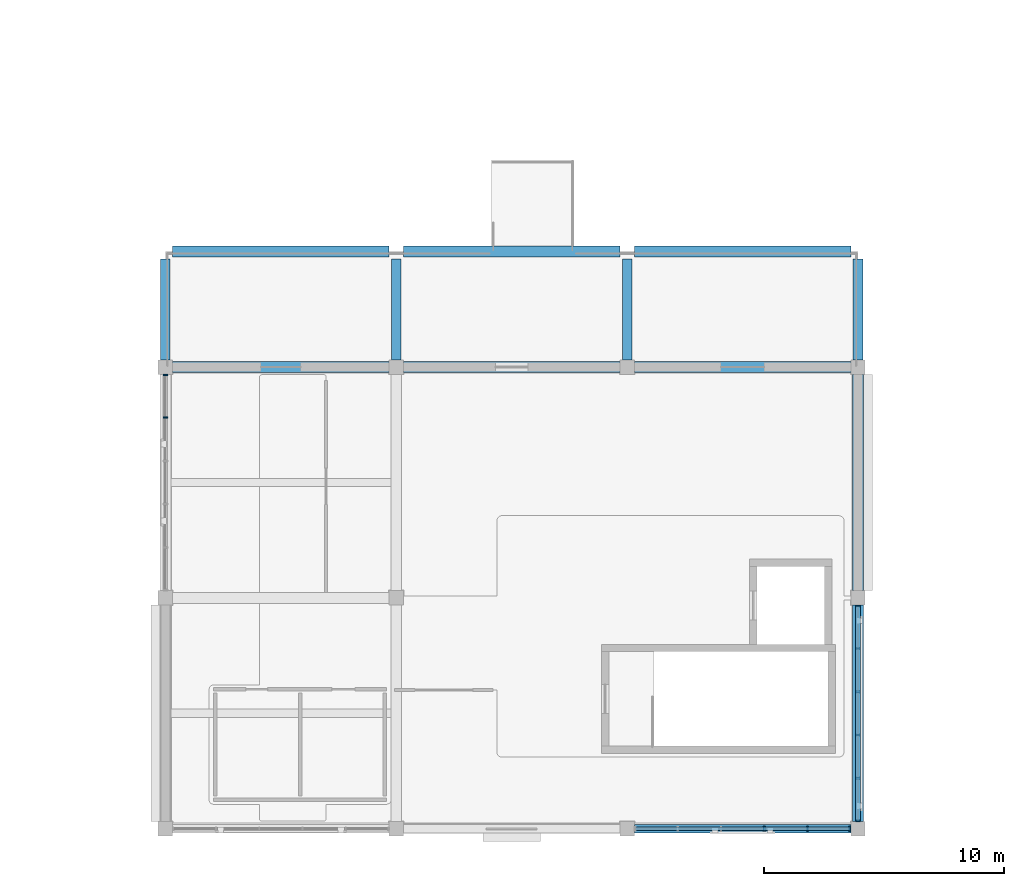
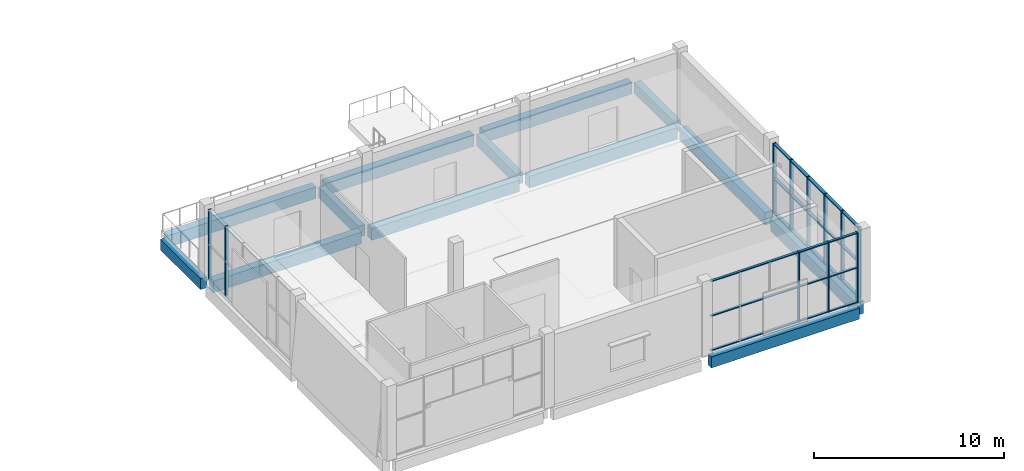
# One storey, part 3 of 37: 17 members, 13 beams, 3 elements without a shape of their own.
"""IFC4 building model written with IfcOpenShell, lengths in metres."""

import ifcopenshell
import ifcopenshell.guid

model = None  # the IFC model being written
_history = None  # IfcOwnerHistory: only IFC2X3 demands one
_inside = {}  # id of a spatial element -> (the spatial element, [elements in it])
_under = {}  # id of a project, library or spatial element -> (it, [spatial elements below it])
_declared = {}  # id of a project -> (the project, [libraries it declares])
_typed = {}  # id of a type object -> (the type object, [elements of that type])
_made_of = {}  # id of a material, layer set ... -> (it, [elements and type objects made of it])


def new_model(schema):
    """Start an empty IFC model of exactly this schema.

    Asked for "IFC4X3", IfcOpenShell would pick the latest addendum, in which some entities
    have other attributes; the version numbers below select the first issue.
    IFC2X3 requires an IfcOwnerHistory on every rooted entity: one is made here for all.
    """
    global model, _history
    if schema == "IFC4X3":
        model = ifcopenshell.file(schema_version=(4, 3, 0, 0))
    else:
        model = ifcopenshell.file(schema=schema)
    _inside.clear()
    _under.clear()
    _declared.clear()
    _typed.clear()
    _made_of.clear()
    _history = None
    if model.schema == "IFC2X3":
        org = make("IfcOrganization", Name="unknown")
        user = make(
            "IfcPersonAndOrganization",
            ThePerson=make("IfcPerson", FamilyName="unknown"),
            TheOrganization=org,
        )
        app = make(
            "IfcApplication",
            ApplicationDeveloper=org,
            Version="unknown",
            ApplicationFullName="unknown",
            ApplicationIdentifier="unknown",
        )
        _history = make(
            "IfcOwnerHistory",
            OwningUser=user,
            OwningApplication=app,
            ChangeAction="ADDED",
            CreationDate=0,
        )
    return model


def make(cls, **values):
    """One entity of the class cls with the attributes given. An attribute that is None is left unset."""
    return model.create_entity(
        cls, **{name: value for name, value in values.items() if value is not None}
    )


def rooted(cls, **values):
    """An entity with a GlobalId (a new one), such as an element, a storey or a relation."""
    return make(cls, GlobalId=ifcopenshell.guid.new(), OwnerHistory=_history, **values)


def si_unit(unit_type, name, prefix=None):
    """IfcSIUnit, for example si_unit("LENGTHUNIT", "METRE", prefix="MILLI")."""
    return make("IfcSIUnit", UnitType=unit_type, Prefix=prefix, Name=name)


def assignment(units):
    """IfcUnitAssignment: the units of a project."""
    return None if units is None else make("IfcUnitAssignment", Units=units)


def point(xyz):
    """IfcCartesianPoint."""
    return None if xyz is None else make("IfcCartesianPoint", Coordinates=xyz)


def direction(xyz):
    """IfcDirection."""
    return None if xyz is None else make("IfcDirection", DirectionRatios=xyz)


def frame(location, z_axis=None, x_axis=None):
    """IfcAxis2Placement3D, a coordinate frame: its origin and axes. An axis left out is left unset."""
    return make(
        "IfcAxis2Placement3D",
        Location=point(location),
        Axis=direction(z_axis),
        RefDirection=direction(x_axis),
    )


def frame_2d(location, x_axis=None):
    """IfcAxis2Placement2D, a coordinate frame in the plane: its origin and x axis."""
    return make(
        "IfcAxis2Placement2D", Location=point(location), RefDirection=direction(x_axis)
    )


def origin():
    """The frame at (0, 0, 0) with its axes left unset."""
    return frame((0.0, 0.0, 0.0))


def origin_2d():
    """The frame at (0, 0) in the plane with its x axis left unset."""
    return frame_2d((0.0, 0.0))


def place(relative_to, where):
    """IfcLocalPlacement: puts the frame where relative to a parent placement (None: the world)."""
    return make(
        "IfcLocalPlacement", PlacementRelTo=relative_to, RelativePlacement=where
    )


def context(
    kind, dimensions, precision=None, world=None, true_north=None, identifier=None
):
    """IfcGeometricRepresentationContext, for example the 3D "Model" context."""
    return make(
        "IfcGeometricRepresentationContext",
        ContextIdentifier=identifier,
        ContextType=kind,
        CoordinateSpaceDimension=dimensions,
        Precision=precision,
        WorldCoordinateSystem=world,
        TrueNorth=true_north,
    )


def subcontext(parent, identifier, kind, view, scale=None):
    """IfcGeometricRepresentationSubContext, for example "Body" below "Model"."""
    return make(
        "IfcGeometricRepresentationSubContext",
        ContextIdentifier=identifier,
        ContextType=kind,
        ParentContext=parent,
        TargetScale=scale,
        TargetView=view,
    )


def project(units=None, contexts=None):
    """IfcProject with its units and contexts."""
    return rooted(
        "IfcProject",
        Name="project",
        RepresentationContexts=contexts,
        UnitsInContext=assignment(units),
    )


def spatial(cls, under=None, at=None, **own):
    """A site, building, storey or space (cls), placed at a placement, below another one or the project."""
    s = rooted(cls, ObjectPlacement=at, **own)
    if under is not None:
        _under.setdefault(under.id(), (under, []))[1].append(s)
    return s


def profile(cls, at=None, kind="AREA", **sizes):
    """A parametric profile (cls). Its sizes go by their IFC names, for example OverallWidth=200.0."""
    return make(cls, ProfileType=kind, Position=at, **sizes)


def rectangle(**sizes):
    """IfcRectangleProfileDef."""
    return profile("IfcRectangleProfileDef", **sizes)


def extrude(swept, where, along, depth):
    """IfcExtrudedAreaSolid: the profile swept, set in the frame where, extruded along a direction by depth."""
    return make(
        "IfcExtrudedAreaSolid",
        SweptArea=swept,
        Position=where,
        ExtrudedDirection=direction(along),
        Depth=depth,
    )


def shape(context_of_items, identifier, shape_type, items):
    """IfcShapeRepresentation: the items that make up one representation, for example the "Body"."""
    return make(
        "IfcShapeRepresentation",
        ContextOfItems=context_of_items,
        RepresentationIdentifier=identifier,
        RepresentationType=shape_type,
        Items=items,
    )


def material(Name=None, Category=None):
    """IfcMaterial."""
    return make("IfcMaterial", Name=Name, Category=Category)


def material_profile(
    of_material, cross_section, Name=None, Category=None, Priority=None
):
    """IfcMaterialProfile: a cross section and its material."""
    return make(
        "IfcMaterialProfile",
        Name=Name,
        Material=of_material,
        Profile=cross_section,
        Priority=Priority,
        Category=Category,
    )


def profile_set(profiles, Name=None, composite=None):
    """IfcMaterialProfileSet."""
    return make(
        "IfcMaterialProfileSet",
        Name=Name,
        MaterialProfiles=profiles,
        CompositeProfile=composite,
    )


def made_of(thing, what):
    """Note that an element or type object is made of a material, layer set ...; save() writes the relation."""
    if what is not None:
        _made_of.setdefault(what.id(), (what, []))[1].append(thing)
    return thing


def type_object(cls, material=None, **own):
    """A type object (cls), such as IfcWallType, which elements share."""
    return made_of(rooted(cls, **own), material)


def element(
    cls,
    number,
    at=None,
    inside=None,
    cuts=None,
    type_object=None,
    material=None,
    context=None,
    identifier="Body",
    shape_type=None,
    held_by="IfcProductDefinitionShape",
    body=None,
    shapes=None,
    **own,
):
    """One element of the class cls, such as IfcWall. Its Tag is "e" and its number.

    at: its placement. inside: the storey or other place that contains it. cuts: it is an
    opening in that element (IfcRelVoidsElement). A single representation is given by context,
    identifier, shape_type and body (its items); several are given by shapes. held_by: the class
    of the entity that holds the representations. save() writes the other relations.
    """
    e = rooted(cls, Tag="e%d" % number, ObjectPlacement=at, **own)
    if body is not None:
        shapes = [shape(context, identifier, shape_type, body)]
    if shapes is not None:
        e.Representation = make(held_by, Representations=shapes)
    if inside is not None:
        _inside.setdefault(inside.id(), (inside, []))[1].append(e)
    if cuts is not None:
        rooted(
            "IfcRelVoidsElement", RelatingBuildingElement=cuts, RelatedOpeningElement=e
        )
    if type_object is not None:
        _typed.setdefault(type_object.id(), (type_object, []))[1].append(e)
    return made_of(e, material)


def aggregate(whole, parts):
    """IfcRelAggregates: a whole, such as a stair, and the parts it consists of."""
    return rooted("IfcRelAggregates", RelatingObject=whole, RelatedObjects=parts)


def save(model, path):
    """Write the relations noted so far, then the file.

    IfcRelAggregates (storeys below a building ...), IfcRelContainedInSpatialStructure (elements
    in a storey), IfcRelDefinesByType, IfcRelAssociatesMaterial and IfcRelDeclares: one each for
    every whole, place, type object, material and project.
    """
    for whole, parts in _under.values():
        aggregate(whole, parts)
    for where, things in _inside.values():
        rooted(
            "IfcRelContainedInSpatialStructure",
            RelatedElements=things,
            RelatingStructure=where,
        )
    for kind, things in _typed.values():
        rooted("IfcRelDefinesByType", RelatedObjects=things, RelatingType=kind)
    for what, things in _made_of.values():
        rooted("IfcRelAssociatesMaterial", RelatedObjects=things, RelatingMaterial=what)
    for by, libraries in _declared.values():
        rooted("IfcRelDeclares", RelatingContext=by, RelatedDefinitions=libraries)
    model.write(path)


model = new_model("IFC4")

# Units and contexts
model_context = context("Model", 3, precision=1e-05, world=origin(), true_north=direction((0.0, 1.0)))
body_context = subcontext(model_context, "Body", "Model", "MODEL_VIEW")
ifc_project = project(units=[si_unit("LENGTHUNIT", "METRE"), si_unit("AREAUNIT", "SQUARE_METRE"), si_unit("VOLUMEUNIT", "CUBIC_METRE"), si_unit("PLANEANGLEUNIT", "RADIAN"), si_unit("MASSUNIT", "GRAM", prefix="KILO")], contexts=[model_context])

# Site, building, storey
site_placement = place(None, origin())
site = spatial("IfcSite", under=ifc_project, at=site_placement, CompositionType="ELEMENT")
building_placement = place(site_placement, origin())
building = spatial("IfcBuilding", under=site, at=building_placement, Name="Shalvenor Court Art Gallery", CompositionType="ELEMENT")
storey_placement = place(building_placement, frame((0.0, 0.0, 22.199951171875)))
storey = spatial("IfcBuildingStorey", under=building, at=storey_placement, Name="L04", CompositionType="ELEMENT", Elevation=22.199951171875)

# Beams
ifc_material_1 = material(Name="Concrete C40/50", Category="concrete")
ifc_material_profile_1 = material_profile(ifc_material_1, rectangle(XDim=0.449951171875, YDim=0.800048828125, at=origin_2d()), Name="RC 450x800")
ifc_profile_set_1 = profile_set([ifc_material_profile_1], Name="Concrete C40/50")
beam_type_1 = type_object("IfcBeamType", Name="B-03", PredefinedType="BEAM", material=ifc_profile_set_1)
for number, where, z_axis, x_axis, name in (
    (1, (124.800048828125, 0.300048828125, -0.699951171875), (0.0, 1.0, 0.0), (-1.0, 0.0, 0.0), "L04 Girder BM-L04-B-03-1175"),
    (2, (124.800048828125, 9.89990234375, -0.699951171875), (0.0, 1.0, 0.0), (-1.0, 0.0, 0.0), "L04 Girder BM-L04-B-03-1176"),
):
    element("IfcBeam", number, at=place(storey_placement, frame(where, z_axis=z_axis, x_axis=x_axis)), inside=storey, type_object=beam_type_1, Name=name, PredefinedType="BEAM", context=body_context, shape_type="SweptSolid", body=[
        extrude(rectangle(XDim=0.449951171875, YDim=0.800048828125, at=origin_2d()), origin(), (0.0, 0.0, 1.0), 9.0),
    ])
ifc_material_2 = material(Name="Concrete C40/50", Category="concrete")
ifc_material_profile_2 = material_profile(ifc_material_2, rectangle(XDim=0.449951171875, YDim=0.75, at=origin_2d()), Name="RC 450x750")
ifc_profile_set_2 = profile_set([ifc_material_profile_2], Name="Concrete C40/50")
beam_type_2 = type_object("IfcBeamType", Name="B-04", PredefinedType="BEAM", material=ifc_profile_set_2)
for number, where, z_axis, x_axis, name in (
    (3, (96.300048828125, 19.199951171875, -0.675048828125), (1.0, 0.0, 0.0), (0.0, 1.0, 0.0), "L04 Girder BM-L04-B-04-1209"),
    (4, (105.89990234375, 19.199951171875, -0.675048828125), (1.0, 0.0, 0.0), (0.0, 1.0, 0.0), "L04 Girder BM-L04-B-04-1210"),
    (5, (115.5, 19.199951171875, -0.675048828125), (1.0, 0.0, 0.0), (0.0, 1.0, 0.0), "L04 Girder BM-L04-B-04-1211"),
    (6, (96.300048828125, 24.0, -0.675048828125), (1.0, 0.0, 0.0), (0.0, 1.0, 0.0), "L04 Girder BM-L04-B-04-1212"),
    (7, (105.89990234375, 24.0, -0.675048828125), (1.0, 0.0, 0.0), (0.0, 1.0, 0.0), "L04 Girder BM-L04-B-04-1213"),
    (8, (115.5, 24.0, -0.675048828125), (1.0, 0.0, 0.0), (0.0, 1.0, 0.0), "L04 Girder BM-L04-B-04-1214"),
):
    element("IfcBeam", number, at=place(storey_placement, frame(where, z_axis=z_axis, x_axis=x_axis)), inside=storey, type_object=beam_type_2, Name=name, PredefinedType="BEAM", context=body_context, shape_type="SweptSolid", body=[
        extrude(rectangle(XDim=0.449951171875, YDim=0.75, at=origin_2d()), origin(), (0.0, 0.0, 1.0), 9.0),
    ])
ifc_material_3 = material(Name="Concrete C40/50", Category="concrete")
ifc_material_profile_3 = material_profile(ifc_material_3, rectangle(XDim=0.39990234375, YDim=0.699951171875, at=origin_2d()), Name="RC 400x700")
ifc_profile_set_3 = profile_set([ifc_material_profile_3], Name="Concrete C40/50")
beam_type_3 = type_object("IfcBeamType", Name="B-05", PredefinedType="BEAM", material=ifc_profile_set_3)
for number, where, z_axis, x_axis, name in (
    (9, (96.0, 19.5, -0.64990234375), (0.0, 1.0, 0.0), (-1.0, 0.0, 0.0), "L04 Girder BM-L04-B-05-1170"),
    (10, (105.60009765625, 19.5, -0.64990234375), (0.0, 1.0, 0.0), (-1.0, 0.0, 0.0), "L04 Girder BM-L04-B-05-1173"),
    (11, (115.199951171875, 19.5, -0.64990234375), (0.0, 1.0, 0.0), (-1.0, 0.0, 0.0), "L04 Girder BM-L04-B-05-1174"),
    (12, (124.800048828125, 19.5, -0.64990234375), (0.0, 1.0, 0.0), (-1.0, 0.0, 0.0), "L04 Girder BM-L04-B-05-1177"),
):
    element("IfcBeam", number, at=place(storey_placement, frame(where, z_axis=z_axis, x_axis=x_axis)), inside=storey, type_object=beam_type_3, Name=name, PredefinedType="BEAM", context=body_context, shape_type="SweptSolid", body=[
        extrude(rectangle(XDim=0.39990234375, YDim=0.699951171875, at=origin_2d()), origin(), (0.0, 0.0, 1.0), 4.199951171875),
    ])

# Curtain wall, members
ifc_material_4 = material(Name="Anodised aluminium and low-iron glass curtain wall", Category="aluminium")
curtain_wall_type_1 = type_object("IfcCurtainWallType", Name="CW-5x2-90-45-142", PredefinedType="USERDEFINED", material=ifc_material_4)
curtain_wall_1_placement = place(storey_placement, origin())
curtain_wall_1 = element("IfcCurtainWall", 13, at=curtain_wall_1_placement, inside=storey, type_object=curtain_wall_type_1, Name="L04 V3 Curtain Wall CW-L04-116", ObjectType="CURTAIN WALL", PredefinedType="USERDEFINED")
ifc_material_5 = material(Name="Anodised aluminium mullion", Category="aluminium")
ifc_material_profile_4 = material_profile(ifc_material_5, rectangle(XDim=0.06494140625, YDim=0.179931640625, at=origin_2d()), Name="CWM-01")
ifc_profile_set_4 = profile_set([ifc_material_profile_4], Name="Anodised aluminium mullion")
member_type_1 = type_object("IfcMemberType", Name="CWM-01", PredefinedType="MULLION", material=ifc_profile_set_4)
member_1_placement = place(storey_placement, frame((96.0, 17.10009765625, 0.0), z_axis=(0.0, 0.0, 1.0), x_axis=(0.0, 1.0, 0.0)))
member_1 = element("IfcMember", 14, at=member_1_placement, type_object=member_type_1, Name="CW-5x2-90-45-142 mullion 5", PredefinedType="MULLION", context=body_context, shape_type="SweptSolid", body=[
    extrude(rectangle(XDim=0.06494140625, YDim=0.179931640625, at=origin_2d()), origin(), (0.0, 0.0, 1.0), 4.5),
])
member_2_placement = place(storey_placement, frame((96.0, 18.867431640625, 0.0), z_axis=(0.0, 0.0, 1.0), x_axis=(0.0, 1.0, 0.0)))
member_2 = element("IfcMember", 15, at=member_2_placement, type_object=member_type_1, Name="CW-5x2-90-45-142 mullion 6", PredefinedType="MULLION", context=body_context, shape_type="SweptSolid", body=[
    extrude(rectangle(XDim=0.06494140625, YDim=0.179931640625, at=origin_2d()), origin(), (0.0, 0.0, 1.0), 4.5),
])
aggregate(curtain_wall_1, [member_1, member_2])

ifc_material_6 = material(Name="Anodised aluminium and low-iron glass curtain wall", Category="aluminium")
curtain_wall_type_2 = type_object("IfcCurtainWallType", Name="CW-5x2-90-45-242", PredefinedType="USERDEFINED", material=ifc_material_6)
curtain_wall_2_placement = place(storey_placement, origin())
curtain_wall_2 = element("IfcCurtainWall", 16, at=curtain_wall_2_placement, inside=storey, type_object=curtain_wall_type_2, Name="L04 V3 Curtain Wall CW-L04-113", ObjectType="CURTAIN WALL", PredefinedType="USERDEFINED")
ifc_material_7 = material(Name="Anodised aluminium mullion", Category="aluminium")
ifc_material_profile_5 = material_profile(ifc_material_7, rectangle(XDim=0.070068359375, YDim=0.199951171875, at=origin_2d()), Name="CWM-02")
ifc_profile_set_5 = profile_set([ifc_material_profile_5], Name="Anodised aluminium mullion")
member_type_2 = type_object("IfcMemberType", Name="CWM-02", PredefinedType="MULLION", material=ifc_profile_set_5)
member_3_placement = place(storey_placement, frame((124.800048828125, 9.264892578125, 0.0), z_axis=(0.0, 0.0, 1.0), x_axis=(0.0, -1.0, 0.0)))
member_3 = element("IfcMember", 17, at=member_3_placement, type_object=member_type_2, Name="CW-5x2-90-45-242 mullion 1", PredefinedType="MULLION", context=body_context, shape_type="SweptSolid", body=[
    extrude(rectangle(XDim=0.070068359375, YDim=0.199951171875, at=origin_2d()), origin(), (0.0, 0.0, 1.0), 4.5),
])
member_4_placement = place(storey_placement, frame((124.800048828125, 7.5, 0.0), z_axis=(0.0, 0.0, 1.0), x_axis=(0.0, -1.0, 0.0)))
member_4 = element("IfcMember", 18, at=member_4_placement, type_object=member_type_2, Name="CW-5x2-90-45-242 mullion 2", PredefinedType="MULLION", context=body_context, shape_type="SweptSolid", body=[
    extrude(rectangle(XDim=0.070068359375, YDim=0.199951171875, at=origin_2d()), origin(), (0.0, 0.0, 1.0), 4.5),
])
member_5_placement = place(storey_placement, frame((124.800048828125, 5.699951171875, 0.0), z_axis=(0.0, 0.0, 1.0), x_axis=(0.0, -1.0, 0.0)))
member_5 = element("IfcMember", 19, at=member_5_placement, type_object=member_type_2, Name="CW-5x2-90-45-242 mullion 3", PredefinedType="MULLION", context=body_context, shape_type="SweptSolid", body=[
    extrude(rectangle(XDim=0.070068359375, YDim=0.199951171875, at=origin_2d()), origin(), (0.0, 0.0, 1.0), 4.5),
])
member_6_placement = place(storey_placement, frame((124.800048828125, 3.89990234375, 0.0), z_axis=(0.0, 0.0, 1.0), x_axis=(0.0, -1.0, 0.0)))
member_6 = element("IfcMember", 20, at=member_6_placement, type_object=member_type_2, Name="CW-5x2-90-45-242 mullion 4", PredefinedType="MULLION", context=body_context, shape_type="SweptSolid", body=[
    extrude(rectangle(XDim=0.070068359375, YDim=0.199951171875, at=origin_2d()), origin(), (0.0, 0.0, 1.0), 4.5),
])
member_7_placement = place(storey_placement, frame((124.800048828125, 2.10009765625, 0.0), z_axis=(0.0, 0.0, 1.0), x_axis=(0.0, -1.0, 0.0)))
member_7 = element("IfcMember", 21, at=member_7_placement, type_object=member_type_2, Name="CW-5x2-90-45-242 mullion 5", PredefinedType="MULLION", context=body_context, shape_type="SweptSolid", body=[
    extrude(rectangle(XDim=0.070068359375, YDim=0.199951171875, at=origin_2d()), origin(), (0.0, 0.0, 1.0), 4.5),
])
member_8_placement = place(storey_placement, frame((124.800048828125, 0.3349609375, 0.0), z_axis=(0.0, 0.0, 1.0), x_axis=(0.0, -1.0, 0.0)))
member_8 = element("IfcMember", 22, at=member_8_placement, type_object=member_type_2, Name="CW-5x2-90-45-242 mullion 6", PredefinedType="MULLION", context=body_context, shape_type="SweptSolid", body=[
    extrude(rectangle(XDim=0.070068359375, YDim=0.199951171875, at=origin_2d()), origin(), (0.0, 0.0, 1.0), 4.5),
])

ifc_material_8 = material(Name="Anodised aluminium and low-iron glass curtain wall", Category="aluminium")
curtain_wall_type_3 = type_object("IfcCurtainWallType", Name="CW-5x2-90-45-412", PredefinedType="USERDEFINED", material=ifc_material_8)
curtain_wall_3_placement = place(storey_placement, origin())
curtain_wall_3 = element("IfcCurtainWall", 23, at=curtain_wall_3_placement, inside=storey, type_object=curtain_wall_type_3, Name="L04 V3 Curtain Wall CW-L04-114", ObjectType="CURTAIN WALL", PredefinedType="USERDEFINED")
ifc_material_9 = material(Name="Anodised aluminium mullion", Category="aluminium")
ifc_material_profile_6 = material_profile(ifc_material_9, rectangle(XDim=0.074951171875, YDim=0.219970703125, at=origin_2d()), Name="CWM-04")
ifc_profile_set_6 = profile_set([ifc_material_profile_6], Name="Anodised aluminium mullion")
member_type_3 = type_object("IfcMemberType", Name="CWM-04", PredefinedType="MULLION", material=ifc_profile_set_6)
member_9_placement = place(storey_placement, frame((124.46240234375, 0.0, 0.0), z_axis=(0.0, 0.0, 1.0), x_axis=(-1.0, 0.0, 0.0)))
member_9 = element("IfcMember", 24, at=member_9_placement, type_object=member_type_3, Name="CW-5x2-90-45-412 mullion 1", PredefinedType="MULLION", context=body_context, shape_type="SweptSolid", body=[
    extrude(rectangle(XDim=0.074951171875, YDim=0.219970703125, at=origin_2d()), origin(), (0.0, 0.0, 1.0), 4.5),
])
member_10_placement = place(storey_placement, frame((122.699951171875, 0.0, 0.0), z_axis=(0.0, 0.0, 1.0), x_axis=(-1.0, 0.0, 0.0)))
member_10 = element("IfcMember", 25, at=member_10_placement, type_object=member_type_3, Name="CW-5x2-90-45-412 mullion 2", PredefinedType="MULLION", context=body_context, shape_type="SweptSolid", body=[
    extrude(rectangle(XDim=0.074951171875, YDim=0.219970703125, at=origin_2d()), origin(), (0.0, 0.0, 1.0), 4.5),
])
member_11_placement = place(storey_placement, frame((120.89990234375, 0.0, 0.0), z_axis=(0.0, 0.0, 1.0), x_axis=(-1.0, 0.0, 0.0)))
member_11 = element("IfcMember", 26, at=member_11_placement, type_object=member_type_3, Name="CW-5x2-90-45-412 mullion 3", PredefinedType="MULLION", context=body_context, shape_type="SweptSolid", body=[
    extrude(rectangle(XDim=0.074951171875, YDim=0.219970703125, at=origin_2d()), origin(), (0.0, 0.0, 1.0), 4.5),
])
ifc_material_10 = material(Name="Anodised aluminium transom", Category="aluminium")
ifc_material_profile_7 = material_profile(ifc_material_10, rectangle(XDim=0.14990234375, YDim=0.06005859375, at=origin_2d()), Name="CWT-01")
ifc_profile_set_7 = profile_set([ifc_material_profile_7], Name="Anodised aluminium transom")
member_type_4 = type_object("IfcMemberType", Name="CWT-01", PredefinedType="USERDEFINED", material=ifc_profile_set_7)
member_12_placement = place(storey_placement, frame((124.46240234375, 0.0, 0.030029296875), z_axis=(-1.0, 0.0, 0.0), x_axis=(0.0, -1.0, 0.0)))
member_12 = element("IfcMember", 27, at=member_12_placement, type_object=member_type_4, Name="CW-5x2-90-45-412 transom 1", ObjectType="TRANSOM", PredefinedType="USERDEFINED", context=body_context, shape_type="SweptSolid", body=[
    extrude(rectangle(XDim=0.14990234375, YDim=0.06005859375, at=origin_2d()), origin(), (0.0, 0.0, 1.0), 8.9248046875),
])
member_13_placement = place(storey_placement, frame((124.46240234375, 0.0, 2.25), z_axis=(-1.0, 0.0, 0.0), x_axis=(0.0, -1.0, 0.0)))
member_13 = element("IfcMember", 28, at=member_13_placement, type_object=member_type_4, Name="CW-5x2-90-45-412 transom 2", ObjectType="TRANSOM", PredefinedType="USERDEFINED", context=body_context, shape_type="SweptSolid", body=[
    extrude(rectangle(XDim=0.14990234375, YDim=0.06005859375, at=origin_2d()), origin(), (0.0, 0.0, 1.0), 8.9248046875),
])
member_14_placement = place(storey_placement, frame((124.46240234375, 0.0, 4.469970703125), z_axis=(-1.0, 0.0, 0.0), x_axis=(0.0, -1.0, 0.0)))
member_14 = element("IfcMember", 29, at=member_14_placement, type_object=member_type_4, Name="CW-5x2-90-45-412 transom 3", ObjectType="TRANSOM", PredefinedType="USERDEFINED", context=body_context, shape_type="SweptSolid", body=[
    extrude(rectangle(XDim=0.14990234375, YDim=0.06005859375, at=origin_2d()), origin(), (0.0, 0.0, 1.0), 8.9248046875),
])
aggregate(curtain_wall_3, [member_9, member_10, member_11, member_12, member_13, member_14])

# Member
ifc_material_11 = material(Name="Anodised aluminium transom", Category="aluminium")
ifc_material_profile_8 = material_profile(ifc_material_11, rectangle(XDim=0.18994140625, YDim=0.070068359375, at=origin_2d()), Name="CWT-04")
ifc_profile_set_8 = profile_set([ifc_material_profile_8], Name="Anodised aluminium transom")
member_type_5 = type_object("IfcMemberType", Name="CWT-04", PredefinedType="USERDEFINED", material=ifc_profile_set_8)
member_15_placement = place(storey_placement, frame((124.800048828125, 9.264892578125, 0.03515625), z_axis=(0.0, -1.0, 0.0), x_axis=(1.0, 0.0, 0.0)))
member_15 = element("IfcMember", 30, at=member_15_placement, type_object=member_type_5, Name="CW-5x2-90-45-242 transom 1", ObjectType="TRANSOM", PredefinedType="USERDEFINED", context=body_context, shape_type="SweptSolid", body=[
    extrude(rectangle(XDim=0.18994140625, YDim=0.070068359375, at=origin_2d()), origin(), (0.0, 0.0, 1.0), 8.929931640625),
])

member_16_placement = place(storey_placement, frame((124.800048828125, 9.264892578125, 2.25), z_axis=(0.0, -1.0, 0.0), x_axis=(1.0, 0.0, 0.0)))
member_16 = element("IfcMember", 31, at=member_16_placement, type_object=member_type_5, Name="CW-5x2-90-45-242 transom 2", ObjectType="TRANSOM", PredefinedType="USERDEFINED", context=body_context, shape_type="SweptSolid", body=[
    extrude(rectangle(XDim=0.18994140625, YDim=0.070068359375, at=origin_2d()), origin(), (0.0, 0.0, 1.0), 8.929931640625),
])

member_17_placement = place(storey_placement, frame((124.800048828125, 9.264892578125, 4.465087890625), z_axis=(0.0, -1.0, 0.0), x_axis=(1.0, 0.0, 0.0)))
member_17 = element("IfcMember", 32, at=member_17_placement, type_object=member_type_5, Name="CW-5x2-90-45-242 transom 3", ObjectType="TRANSOM", PredefinedType="USERDEFINED", context=body_context, shape_type="SweptSolid", body=[
    extrude(rectangle(XDim=0.18994140625, YDim=0.070068359375, at=origin_2d()), origin(), (0.0, 0.0, 1.0), 8.929931640625),
])

aggregate(curtain_wall_2, [member_3, member_4, member_5, member_6, member_7, member_8, member_15, member_16, member_17])

# Beam
ifc_material_12 = material(Name="Concrete C40/50", Category="concrete")
ifc_material_profile_9 = material_profile(ifc_material_12, rectangle(XDim=0.35009765625, YDim=0.699951171875, at=origin_2d()), Name="RC 350x700")
ifc_profile_set_9 = profile_set([ifc_material_profile_9], Name="Concrete C40/50")
beam_type_4 = type_object("IfcBeamType", Name="SP-01", PredefinedType="SPANDREL", material=ifc_profile_set_9)
beam_placement = place(storey_placement, frame((115.5, 0.0, -0.64990234375), z_axis=(1.0, 0.0, 0.0), x_axis=(0.0, 1.0, 0.0)))
element("IfcBeam", 33, at=beam_placement, inside=storey, type_object=beam_type_4, Name="L04 Spandrel Girder BM-L04-SP-01-1207", PredefinedType="SPANDREL", context=body_context, shape_type="SweptSolid", body=[
    extrude(rectangle(XDim=0.35009765625, YDim=0.699951171875, at=origin_2d()), origin(), (0.0, 0.0, 1.0), 9.0),
])

save(model, "model.ifc")
